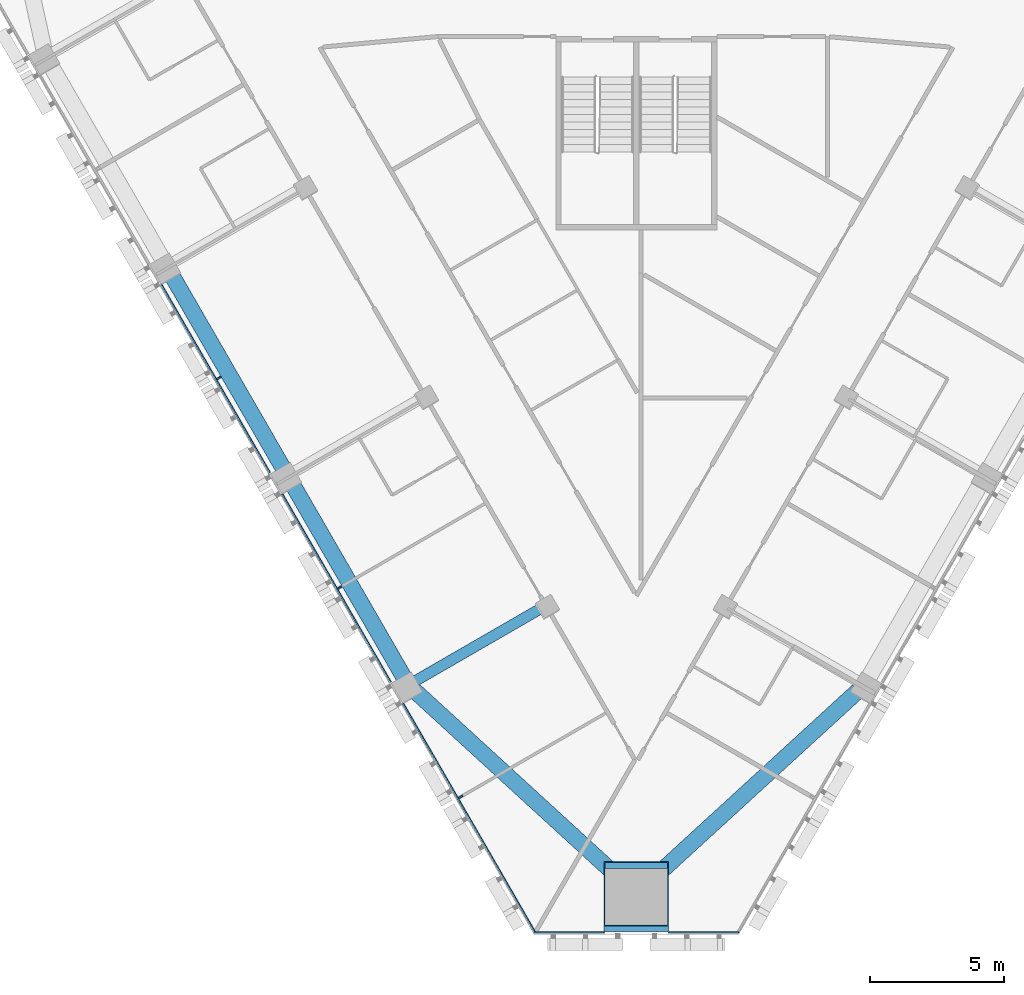
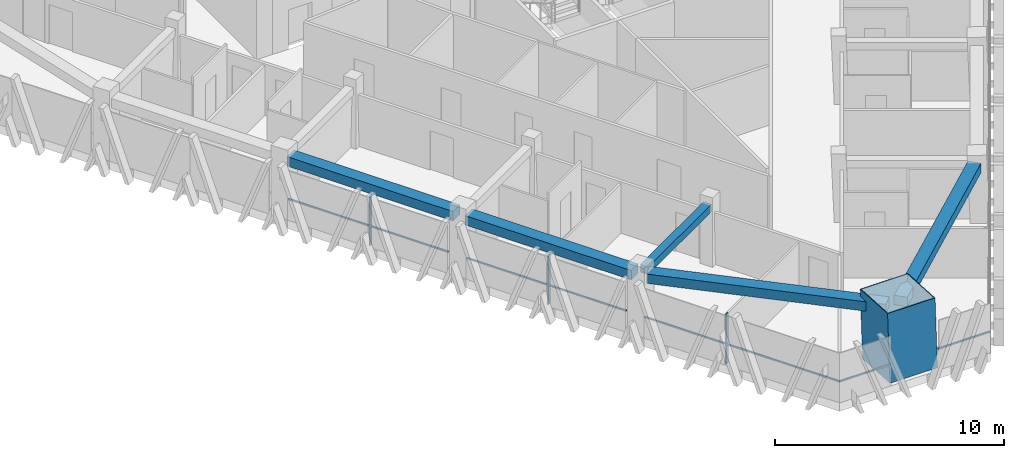
# One storey, part 2 of 16: 9 members, 5 beams, 2 elements without a shape of their own.
"""IFC4 building model written with IfcOpenShell, lengths in metres."""

import ifcopenshell
import ifcopenshell.guid

model = None  # the IFC model being written
_history = None  # IfcOwnerHistory: only IFC2X3 demands one
_inside = {}  # id of a spatial element -> (the spatial element, [elements in it])
_under = {}  # id of a project, library or spatial element -> (it, [spatial elements below it])
_declared = {}  # id of a project -> (the project, [libraries it declares])
_typed = {}  # id of a type object -> (the type object, [elements of that type])
_made_of = {}  # id of a material, layer set ... -> (it, [elements and type objects made of it])


def new_model(schema):
    """Start an empty IFC model of exactly this schema.

    Asked for "IFC4X3", IfcOpenShell would pick the latest addendum, in which some entities
    have other attributes; the version numbers below select the first issue.
    IFC2X3 requires an IfcOwnerHistory on every rooted entity: one is made here for all.
    """
    global model, _history
    if schema == "IFC4X3":
        model = ifcopenshell.file(schema_version=(4, 3, 0, 0))
    else:
        model = ifcopenshell.file(schema=schema)
    _inside.clear()
    _under.clear()
    _declared.clear()
    _typed.clear()
    _made_of.clear()
    _history = None
    if model.schema == "IFC2X3":
        org = make("IfcOrganization", Name="unknown")
        user = make(
            "IfcPersonAndOrganization",
            ThePerson=make("IfcPerson", FamilyName="unknown"),
            TheOrganization=org,
        )
        app = make(
            "IfcApplication",
            ApplicationDeveloper=org,
            Version="unknown",
            ApplicationFullName="unknown",
            ApplicationIdentifier="unknown",
        )
        _history = make(
            "IfcOwnerHistory",
            OwningUser=user,
            OwningApplication=app,
            ChangeAction="ADDED",
            CreationDate=0,
        )
    return model


def make(cls, **values):
    """One entity of the class cls with the attributes given. An attribute that is None is left unset."""
    return model.create_entity(
        cls, **{name: value for name, value in values.items() if value is not None}
    )


def rooted(cls, **values):
    """An entity with a GlobalId (a new one), such as an element, a storey or a relation."""
    return make(cls, GlobalId=ifcopenshell.guid.new(), OwnerHistory=_history, **values)


def si_unit(unit_type, name, prefix=None):
    """IfcSIUnit, for example si_unit("LENGTHUNIT", "METRE", prefix="MILLI")."""
    return make("IfcSIUnit", UnitType=unit_type, Prefix=prefix, Name=name)


def assignment(units):
    """IfcUnitAssignment: the units of a project."""
    return None if units is None else make("IfcUnitAssignment", Units=units)


def point(xyz):
    """IfcCartesianPoint."""
    return None if xyz is None else make("IfcCartesianPoint", Coordinates=xyz)


def direction(xyz):
    """IfcDirection."""
    return None if xyz is None else make("IfcDirection", DirectionRatios=xyz)


def frame(location, z_axis=None, x_axis=None):
    """IfcAxis2Placement3D, a coordinate frame: its origin and axes. An axis left out is left unset."""
    return make(
        "IfcAxis2Placement3D",
        Location=point(location),
        Axis=direction(z_axis),
        RefDirection=direction(x_axis),
    )


def frame_2d(location, x_axis=None):
    """IfcAxis2Placement2D, a coordinate frame in the plane: its origin and x axis."""
    return make(
        "IfcAxis2Placement2D", Location=point(location), RefDirection=direction(x_axis)
    )


def origin():
    """The frame at (0, 0, 0) with its axes left unset."""
    return frame((0.0, 0.0, 0.0))


def origin_2d():
    """The frame at (0, 0) in the plane with its x axis left unset."""
    return frame_2d((0.0, 0.0))


def place(relative_to, where):
    """IfcLocalPlacement: puts the frame where relative to a parent placement (None: the world)."""
    return make(
        "IfcLocalPlacement", PlacementRelTo=relative_to, RelativePlacement=where
    )


def context(
    kind, dimensions, precision=None, world=None, true_north=None, identifier=None
):
    """IfcGeometricRepresentationContext, for example the 3D "Model" context."""
    return make(
        "IfcGeometricRepresentationContext",
        ContextIdentifier=identifier,
        ContextType=kind,
        CoordinateSpaceDimension=dimensions,
        Precision=precision,
        WorldCoordinateSystem=world,
        TrueNorth=true_north,
    )


def subcontext(parent, identifier, kind, view, scale=None):
    """IfcGeometricRepresentationSubContext, for example "Body" below "Model"."""
    return make(
        "IfcGeometricRepresentationSubContext",
        ContextIdentifier=identifier,
        ContextType=kind,
        ParentContext=parent,
        TargetScale=scale,
        TargetView=view,
    )


def project(units=None, contexts=None):
    """IfcProject with its units and contexts."""
    return rooted(
        "IfcProject",
        Name="project",
        RepresentationContexts=contexts,
        UnitsInContext=assignment(units),
    )


def spatial(cls, under=None, at=None, **own):
    """A site, building, storey or space (cls), placed at a placement, below another one or the project."""
    s = rooted(cls, ObjectPlacement=at, **own)
    if under is not None:
        _under.setdefault(under.id(), (under, []))[1].append(s)
    return s


def profile(cls, at=None, kind="AREA", **sizes):
    """A parametric profile (cls). Its sizes go by their IFC names, for example OverallWidth=200.0."""
    return make(cls, ProfileType=kind, Position=at, **sizes)


def rectangle(**sizes):
    """IfcRectangleProfileDef."""
    return profile("IfcRectangleProfileDef", **sizes)


def hollow_rectangle(**sizes):
    """IfcRectangleHollowProfileDef."""
    return profile("IfcRectangleHollowProfileDef", **sizes)


def extrude(swept, where, along, depth):
    """IfcExtrudedAreaSolid: the profile swept, set in the frame where, extruded along a direction by depth."""
    return make(
        "IfcExtrudedAreaSolid",
        SweptArea=swept,
        Position=where,
        ExtrudedDirection=direction(along),
        Depth=depth,
    )


def shape(context_of_items, identifier, shape_type, items):
    """IfcShapeRepresentation: the items that make up one representation, for example the "Body"."""
    return make(
        "IfcShapeRepresentation",
        ContextOfItems=context_of_items,
        RepresentationIdentifier=identifier,
        RepresentationType=shape_type,
        Items=items,
    )


def material(Name=None, Category=None):
    """IfcMaterial."""
    return make("IfcMaterial", Name=Name, Category=Category)


def layer(
    of_material, thickness, ventilated=None, Name=None, Category=None, Priority=None
):
    """IfcMaterialLayer: one layer of a wall or slab, of a material (None: an air gap)."""
    return make(
        "IfcMaterialLayer",
        Material=of_material,
        LayerThickness=thickness,
        IsVentilated=ventilated,
        Name=Name,
        Category=Category,
        Priority=Priority,
    )


def layer_set(layers, Name=None):
    """IfcMaterialLayerSet."""
    return make("IfcMaterialLayerSet", MaterialLayers=layers, LayerSetName=Name)


def material_profile(
    of_material, cross_section, Name=None, Category=None, Priority=None
):
    """IfcMaterialProfile: a cross section and its material."""
    return make(
        "IfcMaterialProfile",
        Name=Name,
        Material=of_material,
        Profile=cross_section,
        Priority=Priority,
        Category=Category,
    )


def profile_set(profiles, Name=None, composite=None):
    """IfcMaterialProfileSet."""
    return make(
        "IfcMaterialProfileSet",
        Name=Name,
        MaterialProfiles=profiles,
        CompositeProfile=composite,
    )


def made_of(thing, what):
    """Note that an element or type object is made of a material, layer set ...; save() writes the relation."""
    if what is not None:
        _made_of.setdefault(what.id(), (what, []))[1].append(thing)
    return thing


def type_object(cls, material=None, **own):
    """A type object (cls), such as IfcWallType, which elements share."""
    return made_of(rooted(cls, **own), material)


def element(
    cls,
    number,
    at=None,
    inside=None,
    cuts=None,
    type_object=None,
    material=None,
    context=None,
    identifier="Body",
    shape_type=None,
    held_by="IfcProductDefinitionShape",
    body=None,
    shapes=None,
    **own,
):
    """One element of the class cls, such as IfcWall. Its Tag is "e" and its number.

    at: its placement. inside: the storey or other place that contains it. cuts: it is an
    opening in that element (IfcRelVoidsElement). A single representation is given by context,
    identifier, shape_type and body (its items); several are given by shapes. held_by: the class
    of the entity that holds the representations. save() writes the other relations.
    """
    e = rooted(cls, Tag="e%d" % number, ObjectPlacement=at, **own)
    if body is not None:
        shapes = [shape(context, identifier, shape_type, body)]
    if shapes is not None:
        e.Representation = make(held_by, Representations=shapes)
    if inside is not None:
        _inside.setdefault(inside.id(), (inside, []))[1].append(e)
    if cuts is not None:
        rooted(
            "IfcRelVoidsElement", RelatingBuildingElement=cuts, RelatedOpeningElement=e
        )
    if type_object is not None:
        _typed.setdefault(type_object.id(), (type_object, []))[1].append(e)
    return made_of(e, material)


def aggregate(whole, parts):
    """IfcRelAggregates: a whole, such as a stair, and the parts it consists of."""
    return rooted("IfcRelAggregates", RelatingObject=whole, RelatedObjects=parts)


def save(model, path):
    """Write the relations noted so far, then the file.

    IfcRelAggregates (storeys below a building ...), IfcRelContainedInSpatialStructure (elements
    in a storey), IfcRelDefinesByType, IfcRelAssociatesMaterial and IfcRelDeclares: one each for
    every whole, place, type object, material and project.
    """
    for whole, parts in _under.values():
        aggregate(whole, parts)
    for where, things in _inside.values():
        rooted(
            "IfcRelContainedInSpatialStructure",
            RelatedElements=things,
            RelatingStructure=where,
        )
    for kind, things in _typed.values():
        rooted("IfcRelDefinesByType", RelatedObjects=things, RelatingType=kind)
    for what, things in _made_of.values():
        rooted("IfcRelAssociatesMaterial", RelatedObjects=things, RelatingMaterial=what)
    for by, libraries in _declared.values():
        rooted("IfcRelDeclares", RelatingContext=by, RelatedDefinitions=libraries)
    model.write(path)


model = new_model("IFC4")

# Units and contexts
model_context = context("Model", 3, precision=1e-05, world=origin(), true_north=direction((0.0, 1.0)))
body_context = subcontext(model_context, "Body", "Model", "MODEL_VIEW")
ifc_project = project(units=[si_unit("LENGTHUNIT", "METRE"), si_unit("AREAUNIT", "SQUARE_METRE"), si_unit("VOLUMEUNIT", "CUBIC_METRE"), si_unit("PLANEANGLEUNIT", "RADIAN"), si_unit("MASSUNIT", "GRAM", prefix="KILO")], contexts=[model_context])

# Site, building, storey
site_placement = place(None, origin())
site = spatial("IfcSite", under=ifc_project, at=site_placement, CompositionType="ELEMENT")
building_placement = place(site_placement, origin())
building = spatial("IfcBuilding", under=site, at=building_placement, Name="Altiplano Prism Tower", CompositionType="ELEMENT")
storey_placement = place(building_placement, frame((0.0, 0.0, 138.60009765625)))
storey = spatial("IfcBuildingStorey", under=building, at=storey_placement, Name="L35", CompositionType="ELEMENT", Elevation=138.60009765625)

# Curtain wall, members
ifc_material_1 = material(Name="Aluminium and glass", Category="aluminium")
ifc_layer = layer(ifc_material_1, 0.280029296875)
ifc_layer_set = layer_set([ifc_layer], Name="Aluminium and glass")
curtain_wall_type = type_object("IfcCurtainWallType", Name="CW1 typical co-living unitised curtain wall", PredefinedType="NOTDEFINED", material=ifc_layer_set)
curtain_wall_1_placement = place(storey_placement, origin())
curtain_wall_1 = element("IfcCurtainWall", 1, at=curtain_wall_1_placement, inside=storey, type_object=curtain_wall_type, Name="CW1 curtain wall south-west face L35", PredefinedType="NOTDEFINED")
ifc_material_2 = material(Name="Aluminium", Category="aluminium")
ifc_material_profile_1 = material_profile(ifc_material_2, rectangle(XDim=0.179931640625, YDim=0.06494140625, at=origin_2d()), Name="CW1 mullion 65 x 180")
ifc_profile_set_1 = profile_set([ifc_material_profile_1], Name="Aluminium")
member_type_1 = type_object("IfcMemberType", Name="CW1 mullion 65 x 180", PredefinedType="MULLION", material=ifc_profile_set_1)
member_1_placement = place(storey_placement, frame((69.457763671875, 77.889892578125, 0.0), z_axis=(0.0, 0.0, 1.0), x_axis=(0.866025409553, 0.499999990009, 0.0)))
member_1 = element("IfcMember", 2, at=member_1_placement, type_object=member_type_1, Name="CW1 mullion", PredefinedType="MULLION", context=body_context, shape_type="SweptSolid", body=[
    extrude(rectangle(XDim=0.179931640625, YDim=0.06494140625, at=origin_2d()), origin(), (0.0, 0.0, 1.0), 2.64990234375),
])
member_2_placement = place(storey_placement, frame((73.957763671875, 70.095703125, 0.0), z_axis=(0.0, 0.0, 1.0), x_axis=(0.866025409553, 0.499999990009, 0.0)))
member_2 = element("IfcMember", 3, at=member_2_placement, type_object=member_type_1, Name="CW1 mullion", PredefinedType="MULLION", context=body_context, shape_type="SweptSolid", body=[
    extrude(rectangle(XDim=0.179931640625, YDim=0.06494140625, at=origin_2d()), origin(), (0.0, 0.0, 1.0), 2.64990234375),
])
member_3_placement = place(storey_placement, frame((78.457763671875, 62.301513671875, 0.0), z_axis=(0.0, 0.0, 1.0), x_axis=(0.866025409553, 0.499999990009, 0.0)))
member_3 = element("IfcMember", 4, at=member_3_placement, type_object=member_type_1, Name="CW1 mullion", PredefinedType="MULLION", context=body_context, shape_type="SweptSolid", body=[
    extrude(rectangle(XDim=0.179931640625, YDim=0.06494140625, at=origin_2d()), origin(), (0.0, 0.0, 1.0), 2.64990234375),
])
ifc_material_profile_2 = material_profile(ifc_material_2, rectangle(XDim=0.06005859375, YDim=0.080078125, at=origin_2d()), Name="CW1 transom 80 x 60")
ifc_profile_set_2 = profile_set([ifc_material_profile_2], Name="Aluminium")
member_type_2 = type_object("IfcMemberType", Name="CW1 transom 80 x 60", PredefinedType="USERDEFINED", material=ifc_profile_set_2)
member_4_placement = place(storey_placement, frame((67.316650390625, 81.3583984375, 1.099853515625), z_axis=(0.499994808408, -0.866028401131, 0.0), x_axis=(0.866028401131, 0.499994808408, 0.0)))
member_4 = element("IfcMember", 5, at=member_4_placement, type_object=member_type_2, Name="CW1 transom", ObjectType="TRANSOM", PredefinedType="USERDEFINED", context=body_context, shape_type="SweptSolid", body=[
    extrude(rectangle(XDim=0.06005859375, YDim=0.080078125, at=origin_2d()), origin(), (0.0, 0.0, 1.0), 8.06982421875),
])
member_5_placement = place(storey_placement, frame((71.816650390625, 73.564208984375, 1.099853515625), z_axis=(0.499994808408, -0.866028401131, 0.0), x_axis=(0.866028401131, 0.499994808408, 0.0)))
member_5 = element("IfcMember", 6, at=member_5_placement, type_object=member_type_2, Name="CW1 transom", ObjectType="TRANSOM", PredefinedType="USERDEFINED", context=body_context, shape_type="SweptSolid", body=[
    extrude(rectangle(XDim=0.06005859375, YDim=0.080078125, at=origin_2d()), origin(), (0.0, 0.0, 1.0), 8.06982421875),
])
member_6_placement = place(storey_placement, frame((76.316650390625, 65.77001953125, 1.099853515625), z_axis=(0.499994983316, -0.866028300149, 0.0), x_axis=(0.866028300149, 0.499994983316, 0.0)))
member_6 = element("IfcMember", 7, at=member_6_placement, type_object=member_type_2, Name="CW1 transom", ObjectType="TRANSOM", PredefinedType="USERDEFINED", context=body_context, shape_type="SweptSolid", body=[
    extrude(rectangle(XDim=0.06005859375, YDim=0.080078125, at=origin_2d()), origin(), (0.0, 0.0, 1.0), 9.8740234375),
])
aggregate(curtain_wall_1, [member_1, member_4, member_2, member_5, member_3, member_6])

curtain_wall_2_placement = place(storey_placement, origin())
curtain_wall_2 = element("IfcCurtainWall", 8, at=curtain_wall_2_placement, inside=storey, type_object=curtain_wall_type, Name="CW1 curtain wall south chamfer L35", PredefinedType="NOTDEFINED")
member_7_placement = place(storey_placement, frame((81.193115234375, 57.253662109375, 1.099853515625), z_axis=(1.0, 0.0, 0.0), x_axis=(0.0, 1.0, 0.0)))
member_7 = element("IfcMember", 9, at=member_7_placement, type_object=member_type_2, Name="CW1 transom", ObjectType="TRANSOM", PredefinedType="USERDEFINED", context=body_context, shape_type="SweptSolid", body=[
    extrude(rectangle(XDim=0.06005859375, YDim=0.080078125, at=origin_2d()), origin(), (0.0, 0.0, 1.0), 2.60693359375),
])
member_8_placement = place(storey_placement, frame((86.199951171875, 57.253662109375, 1.099853515625), z_axis=(1.0, 0.0, 0.0), x_axis=(0.0, 1.0, 0.0)))
member_8 = element("IfcMember", 10, at=member_8_placement, type_object=member_type_2, Name="CW1 transom", ObjectType="TRANSOM", PredefinedType="USERDEFINED", context=body_context, shape_type="SweptSolid", body=[
    extrude(rectangle(XDim=0.06005859375, YDim=0.080078125, at=origin_2d()), origin(), (0.0, 0.0, 1.0), 2.60693359375),
])
aggregate(curtain_wall_2, [member_7, member_8])

# Beams
ifc_material_3 = material(Name="Concrete C60/75", Category="concrete")
ifc_material_profile_3 = material_profile(ifc_material_3, rectangle(XDim=0.60009765625, YDim=0.5, at=origin_2d()), Name="Edge beam 600x500")
ifc_profile_set_3 = profile_set([ifc_material_profile_3], Name="Concrete C60/75")
beam_type_1 = type_object("IfcBeamType", Name="Edge beam 600x500", PredefinedType="SPANDREL", material=ifc_profile_set_3)
for number, where, z_axis, x_axis, name in (
    (11, (67.665283203125, 81.79150390625, 2.89990234375), (0.499997845736, -0.866026647546, 0.0), (0.866026647546, 0.499997845736, 0.0), "Edge beam P12-P13 L36"),
    (12, (72.165283203125, 73.997314453125, 2.89990234375), (0.499997845736, -0.866026647546, 0.0), (0.866026647546, 0.499997845736, 0.0), "Edge beam P13-P14 L36"),
):
    element("IfcBeam", number, at=place(storey_placement, frame(where, z_axis=z_axis, x_axis=x_axis)), inside=storey, type_object=beam_type_1, Name=name, PredefinedType="SPANDREL", context=body_context, shape_type="SweptSolid", body=[
        extrude(rectangle(XDim=0.60009765625, YDim=0.5, at=origin_2d()), origin(), (0.0, 0.0, 1.0), 8.39013671875),
    ])
for number, where, z_axis, x_axis, name in (
    (13, (76.7529296875, 66.2470703125, 2.89990234375), (0.737462814188, -0.675387738777, 0.0), (0.675387738777, 0.737462814188, 0.0), "Edge beam P14-M1 L36"),
    (14, (85.331787109375, 58.998046875, 2.89990234375), (0.737462814188, 0.675387738777, 0.0), (-0.675387738777, 0.737462814188, 0.0), "Edge beam M1-P21 L36"),
):
    element("IfcBeam", number, at=place(storey_placement, frame(where, z_axis=z_axis, x_axis=x_axis)), inside=storey, type_object=beam_type_1, Name=name, PredefinedType="SPANDREL", context=body_context, shape_type="SweptSolid", body=[
        extrude(rectangle(XDim=0.60009765625, YDim=0.5, at=origin_2d()), origin(), (0.0, 0.0, 1.0), 10.733154296875),
    ])

# Member
ifc_material_4 = material(Name="Steel S460", Category="steel")
ifc_material_profile_4 = material_profile(ifc_material_4, hollow_rectangle(XDim=2.39990234375, YDim=2.39990234375, WallThickness=0.0400390625, at=origin_2d()), Name="Mega column tube 2400")
ifc_profile_set_4 = profile_set([ifc_material_profile_4], Name="Steel S460")
member_type_3 = type_object("IfcMemberType", Name="Mega column tube 2400", PredefinedType="POST", material=ifc_profile_set_4)
member_9_placement = place(storey_placement, frame((85.0, 58.483642578125, 0.0), z_axis=(0.0, 0.058360852261, 0.998295552892), x_axis=(-1.0, 0.0, 0.0)))
element("IfcMember", 15, at=member_9_placement, inside=storey, type_object=member_type_3, Name="Mega column tube M1 L35", PredefinedType="POST", context=body_context, shape_type="SweptSolid", body=[
    extrude(hollow_rectangle(XDim=2.39990234375, YDim=2.39990234375, WallThickness=0.0400390625, at=origin_2d()), origin(), (0.0, 0.0, 1.0), 3.60595703125),
])

# Beam
ifc_material_profile_5 = material_profile(ifc_material_3, rectangle(XDim=0.39990234375, YDim=0.39990234375, at=origin_2d()), Name="Tie beam 400x400")
ifc_profile_set_5 = profile_set([ifc_material_profile_5], Name="Concrete C60/75")
beam_type_2 = type_object("IfcBeamType", Name="Tie beam 400x400", PredefinedType="BEAM", material=ifc_profile_set_5)
beam_placement = place(storey_placement, frame((81.57470703125, 69.3896484375, 2.949951171875), z_axis=(-0.866016055733, -0.50001619095, 0.0), x_axis=(0.50001619095, -0.866016055733, 0.0)))
element("IfcBeam", 16, at=beam_placement, inside=storey, type_object=beam_type_2, Name="Tie beam I14 L36", PredefinedType="BEAM", context=body_context, shape_type="SweptSolid", body=[
    extrude(rectangle(XDim=0.39990234375, YDim=0.39990234375, at=origin_2d()), origin(), (0.0, 0.0, 1.0), 5.539794921875),
])

save(model, "model.ifc")
